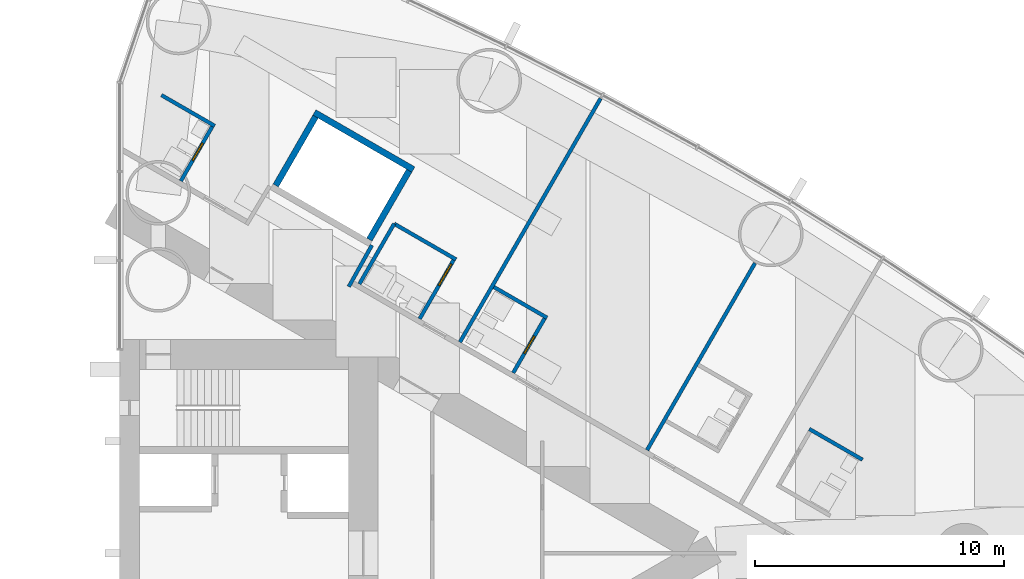
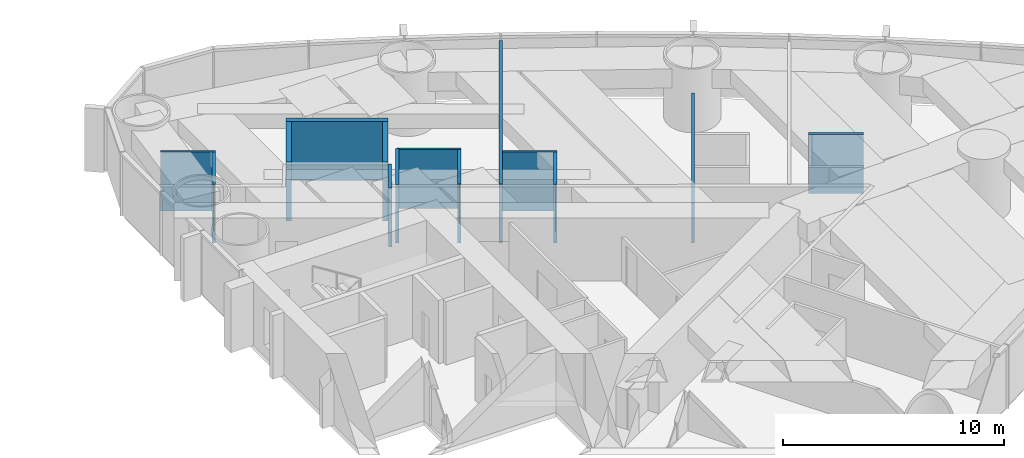
# One storey, part 16 of 19: 14 walls, 3 doors, 3 openings.
"""IFC4 building model written with IfcOpenShell, lengths in metres."""

from ifc_helpers import new_model, si_unit, direction, frame, frame_2d, origin, place, context, subcontext, project, spatial, rectangle, extrude, material, layer, layer_set, type_object, element, fill, save


model = new_model("IFC4")

# Units and contexts
model_context = context("Model", 3, precision=1e-05, world=origin(), true_north=direction((0.0, 1.0)))
body_context = subcontext(model_context, "Body", "Model", "MODEL_VIEW")
ifc_project = project(units=[si_unit("LENGTHUNIT", "METRE"), si_unit("AREAUNIT", "SQUARE_METRE"), si_unit("VOLUMEUNIT", "CUBIC_METRE"), si_unit("PLANEANGLEUNIT", "RADIAN"), si_unit("MASSUNIT", "GRAM", prefix="KILO")], contexts=[model_context])

# Site, building, storey
site_placement = place(None, origin())
site = spatial("IfcSite", under=ifc_project, at=site_placement, CompositionType="ELEMENT")
building_placement = place(site_placement, origin())
building = spatial("IfcBuilding", under=site, at=building_placement, Name="Lancet Gate Hotel", CompositionType="ELEMENT")
storey_placement = place(building_placement, frame((0.0, 0.0, 122.10009765625)))
storey = spatial("IfcBuildingStorey", under=building, at=storey_placement, Name="L32", CompositionType="ELEMENT", Elevation=122.10009765625)

# Walls
ifc_material_1 = material(Name="Moisture resistant board partition")
ifc_layer_1 = layer(ifc_material_1, 0.14990234375)
ifc_layer_set_1 = layer_set([ifc_layer_1], Name="Bathroom wall 150")
wall_type_1 = type_object("IfcWallType", Name="Bathroom wall 150", PredefinedType="PARTITIONING", material=ifc_layer_set_1)
wall_1_placement = place(storey_placement, frame((55.2451171875, 4.998291015625, 0.0), z_axis=(0.0, 0.0, 1.0), x_axis=(0.866006523861, -0.500032699561, 0.0)))
element("IfcWall", 1, at=wall_1_placement, inside=storey, type_object=wall_type_1, Name="T2 bathroom wall 150 L32", PredefinedType="PARTITIONING", context=body_context, shape_type="SweptSolid", body=[
    extrude(rectangle(XDim=2.474853515625, YDim=0.14990234375, at=frame_2d((1.2373046875, 0.0))), origin(), (0.0, 0.0, 1.0), 3.25),
])
wall_2_placement = place(storey_placement, frame((42.5546875, 10.708251953125, 0.0), z_axis=(0.0, 0.0, 1.0), x_axis=(0.866073894602, -0.499916002032, 0.0)))
element("IfcWall", 2, at=wall_2_placement, inside=storey, type_object=wall_type_1, Name="T2 bathroom wall 150 L32", PredefinedType="PARTITIONING", context=body_context, shape_type="SweptSolid", body=[
    extrude(rectangle(XDim=2.47509765625, YDim=0.14990234375, at=frame_2d((1.237548828125, 0.0))), origin(), (0.0, 0.0, 1.0), 3.25),
])

# Wall, opening, door
wall_3_placement = place(storey_placement, frame((43.333251953125, 7.256591796875, 0.0), z_axis=(0.0, 0.0, 1.0), x_axis=(0.500006934395, 0.866021400173, 0.0)))
wall_3 = element("IfcWall", 3, at=wall_3_placement, inside=storey, type_object=wall_type_1, Name="T2 bathroom wall 150 L32", PredefinedType="PARTITIONING", context=body_context, shape_type="SweptSolid", body=[
    extrude(rectangle(XDim=2.60009765625, YDim=0.14990234375, at=frame_2d((1.300048828125, 0.0))), origin(), (0.0, 0.0, 1.0), 3.25),
])
opening_1_placement = place(wall_3_placement, frame((0.89990234375, 0.0, 0.0)))
opening_1 = element("IfcOpeningElement", 4, at=opening_1_placement, cuts=wall_3, Name="Opening 3260-B", PredefinedType="OPENING", context=body_context, shape_type="SweptSolid", body=[
    extrude(rectangle(XDim=0.800048828125, YDim=2.199951171875, at=frame_2d((0.39990234375, 1.10009765625))), frame((0.0, 0.0849609375, 0.0), z_axis=(0.0, -1.0, 0.0), x_axis=(1.0, 0.0, 0.0)), (0.0, 0.0, 1.0), 0.169921875),
])
ifc_material_2 = material(Name="Timber door set", Category="wood")
door_type_1 = type_object("IfcDoorType", Name="Bathroom door 800", OperationType="SINGLE_SWING_RIGHT", PredefinedType="DOOR", material=ifc_material_2)
door_1_placement = place(opening_1_placement, origin())
door_1 = element("IfcDoor", 5, at=door_1_placement, inside=storey, type_object=door_type_1, Name="3260-B", OperationType="SINGLE_SWING_RIGHT", OverallHeight=2.199951171875, OverallWidth=0.800048828125, PredefinedType="DOOR", context=body_context, shape_type="SweptSolid", body=[
    extrude(rectangle(XDim=0.800048828125, YDim=2.199951171875, at=frame_2d((0.39990234375, 1.10009765625))), frame((0.0, 0.02490234375, 0.0), z_axis=(0.0, -1.0, 0.0), x_axis=(1.0, 0.0, 0.0)), (0.0, 0.0, 1.0), 0.050048828125),
])
fill(opening_1, door_1)

# Wall
wall_4_placement = place(storey_placement, frame((38.5439453125, 13.255126953125, 0.0), z_axis=(0.0, 0.0, 1.0), x_axis=(0.866018712932, -0.500011588718, 0.0)))
element("IfcWall", 6, at=wall_4_placement, inside=storey, type_object=wall_type_1, Name="T2 bathroom wall 150 L32", PredefinedType="PARTITIONING", context=body_context, shape_type="SweptSolid", body=[
    extrude(rectangle(XDim=2.875, YDim=0.14990234375, at=frame_2d((1.4375, 0.0))), origin(), (0.0, 0.0, 1.0), 3.25),
])

# Wall, opening, door
wall_5_placement = place(storey_placement, frame((39.56884765625, 9.43017578125, 0.0), z_axis=(0.0, 0.0, 1.0), x_axis=(0.49998411664, 0.866034573852, 0.0)))
wall_5 = element("IfcWall", 7, at=wall_5_placement, inside=storey, type_object=wall_type_1, Name="T2 bathroom wall 150 L32", PredefinedType="PARTITIONING", context=body_context, shape_type="SweptSolid", body=[
    extrude(rectangle(XDim=2.7998046875, YDim=0.14990234375, at=frame_2d((1.39990234375, 0.0))), origin(), (0.0, 0.0, 1.0), 3.25),
])
opening_2_placement = place(wall_5_placement, frame((1.550048828125, 0.0, 0.0)))
opening_2 = element("IfcOpeningElement", 8, at=opening_2_placement, cuts=wall_5, Name="Opening 3262-B", PredefinedType="OPENING", context=body_context, shape_type="SweptSolid", body=[
    extrude(rectangle(XDim=1.0, YDim=2.199951171875, at=frame_2d((0.5, 1.10009765625))), frame((0.0, 0.0849609375, 0.0), z_axis=(0.0, -1.0, 0.0), x_axis=(1.0, 0.0, 0.0)), (0.0, 0.0, 1.0), 0.169921875),
])
ifc_material_3 = material(Name="Timber door set", Category="wood")
door_type_2 = type_object("IfcDoorType", Name="Accessible en-suite door 1000", OperationType="SINGLE_SWING_RIGHT", PredefinedType="DOOR", material=ifc_material_3)
door_2_placement = place(opening_2_placement, origin())
door_2 = element("IfcDoor", 9, at=door_2_placement, inside=storey, type_object=door_type_2, Name="3262-B", OperationType="SINGLE_SWING_RIGHT", OverallHeight=2.199951171875, OverallWidth=1.0, PredefinedType="DOOR", context=body_context, shape_type="SweptSolid", body=[
    extrude(rectangle(XDim=1.0, YDim=2.199951171875, at=frame_2d((0.5, 1.10009765625))), frame((0.0, 0.02490234375, 0.0), z_axis=(0.0, -1.0, 0.0), x_axis=(1.0, 0.0, 0.0)), (0.0, 0.0, 1.0), 0.050048828125),
])
fill(opening_2, door_2)

# Walls
wall_6_placement = place(storey_placement, frame((37.143798828125, 10.830078125, 0.0), z_axis=(0.0, 0.0, 1.0), x_axis=(0.500011755427, 0.866018616679, 0.0)))
element("IfcWall", 10, at=wall_6_placement, inside=storey, type_object=wall_type_1, Name="T2 bathroom wall 150 L32", PredefinedType="PARTITIONING", context=body_context, shape_type="SweptSolid", body=[
    extrude(rectangle(XDim=2.80029296875, YDim=0.14990234375, at=frame_2d((1.400146484375, 0.0))), origin(), (0.0, 0.0, 1.0), 3.25),
])
wall_7_placement = place(storey_placement, frame((29.181884765625, 18.42919921875, 0.0), z_axis=(0.0, 0.0, 1.0), x_axis=(0.866006523861, -0.500032699561, 0.0)))
element("IfcWall", 11, at=wall_7_placement, inside=storey, type_object=wall_type_1, Name="T2 bathroom wall 150 L32", PredefinedType="PARTITIONING", context=body_context, shape_type="SweptSolid", body=[
    extrude(rectangle(XDim=2.474853515625, YDim=0.14990234375, at=frame_2d((1.2373046875, 0.0))), origin(), (0.0, 0.0, 1.0), 3.25),
])

# Wall, opening, door
wall_8_placement = place(storey_placement, frame((29.960205078125, 14.9775390625, 0.0), z_axis=(0.0, 0.0, 1.0), x_axis=(0.500006934395, 0.866021400173, 0.0)))
wall_8 = element("IfcWall", 12, at=wall_8_placement, inside=storey, type_object=wall_type_1, Name="T2 bathroom wall 150 L32", PredefinedType="PARTITIONING", context=body_context, shape_type="SweptSolid", body=[
    extrude(rectangle(XDim=2.60009765625, YDim=0.14990234375, at=frame_2d((1.300048828125, 0.0))), origin(), (0.0, 0.0, 1.0), 3.25),
])
opening_3_placement = place(wall_8_placement, frame((0.949951171875, 0.0, 0.0)))
opening_3 = element("IfcOpeningElement", 13, at=opening_3_placement, cuts=wall_8, Name="Opening 3264-B", PredefinedType="OPENING", context=body_context, shape_type="SweptSolid", body=[
    extrude(rectangle(XDim=0.800048828125, YDim=2.199951171875, at=frame_2d((0.39990234375, 1.10009765625))), frame((0.0, 0.0849609375, 0.0), z_axis=(0.0, -1.0, 0.0), x_axis=(1.0, 0.0, 0.0)), (0.0, 0.0, 1.0), 0.169921875),
])
door_3_placement = place(opening_3_placement, origin())
door_3 = element("IfcDoor", 14, at=door_3_placement, inside=storey, type_object=door_type_1, Name="3264-B", OperationType="SINGLE_SWING_RIGHT", OverallHeight=2.199951171875, OverallWidth=0.800048828125, PredefinedType="DOOR", context=body_context, shape_type="SweptSolid", body=[
    extrude(rectangle(XDim=0.800048828125, YDim=2.199951171875, at=frame_2d((0.39990234375, 1.10009765625))), frame((0.0, 0.02490234375, 0.0), z_axis=(0.0, -1.0, 0.0), x_axis=(1.0, 0.0, 0.0)), (0.0, 0.0, 1.0), 0.050048828125),
])
fill(opening_3, door_3)

# Walls
ifc_material_4 = material(Name="Gypsum board partition")
ifc_layer_2 = layer(ifc_material_4, 0.25)
ifc_layer_set_2 = layer_set([ifc_layer_2], Name="Lift shaft partition 250")
wall_type_2 = type_object("IfcWallType", Name="Lift shaft partition 250", PredefinedType="PARTITIONING", material=ifc_layer_set_2)
wall_9_placement = place(storey_placement, frame((35.33349609375, 17.73583984375, 0.0), z_axis=(0.0, 0.0, 1.0), x_axis=(0.866043305498, -0.49996899204, 0.0)))
element("IfcWall", 15, at=wall_9_placement, inside=storey, type_object=wall_type_2, Name="T2 lift shaft wall EX L32", PredefinedType="PARTITIONING", context=body_context, shape_type="SweptSolid", body=[
    extrude(rectangle(XDim=4.600341796875, YDim=0.25, at=frame_2d((2.30029296875, 0.0))), origin(), (0.0, 0.0, 1.0), 3.25),
])
for number, where, z_axis, x_axis, name in (
    (16, (33.779296875, 14.79296875, 0.0), (0.0, 0.0, 1.0), (0.499929347863, 0.866066190972, 0.0), "T2 lift shaft wall EX L32"),
    (17, (37.546630859375, 12.617919921875, 0.0), (0.0, 0.0, 1.0), (0.499929347863, 0.866066190972, 0.0), "T2 lift shaft wall EX L32"),
):
    element("IfcWall", number, at=place(storey_placement, frame(where, z_axis=z_axis, x_axis=x_axis)), inside=storey, type_object=wall_type_2, Name=name, PredefinedType="PARTITIONING", context=body_context, shape_type="SweptSolid", body=[
        extrude(rectangle(XDim=3.20068359375, YDim=0.25, at=frame_2d((1.600341796875, 0.0))), origin(), (0.0, 0.0, 1.0), 3.25),
    ])
ifc_material_5 = material(Name="Gypsum board partition")
ifc_layer_3 = layer(ifc_material_5, 0.14990234375)
ifc_layer_set_3 = layer_set([ifc_layer_3], Name="Party wall 150")
wall_type_3 = type_object("IfcWallType", Name="Party wall 150", PredefinedType="PARTITIONING", material=ifc_layer_set_3)
wall_10_placement = place(storey_placement, frame((41.18994140625, 8.494140625, 0.0), z_axis=(0.0, 0.0, 1.0), x_axis=(0.49999258054, 0.866029687369, 0.0)))
element("IfcWall", 18, at=wall_10_placement, inside=storey, type_object=wall_type_3, Name="T2 party wall 150 L32", PredefinedType="PARTITIONING", context=body_context, shape_type="SweptSolid", body=[
    extrude(rectangle(XDim=11.318115234375, YDim=0.14990234375, at=frame_2d((5.6591796875, 0.0))), origin(), (0.0, 0.0, 1.0), 3.25),
])
wall_11_placement = place(storey_placement, frame((48.718505859375, 4.1474609375, 0.0), z_axis=(0.0, 0.0, 1.0), x_axis=(0.499993328235, 0.866029255696, 0.0)))
element("IfcWall", 19, at=wall_11_placement, inside=storey, type_object=wall_type_3, Name="T2 party wall 150 L32", PredefinedType="PARTITIONING", context=body_context, shape_type="SweptSolid", body=[
    extrude(rectangle(XDim=8.68603515625, YDim=0.14990234375, at=frame_2d((4.343017578125, 0.0))), origin(), (0.0, 0.0, 1.0), 2.199951171875),
])
ifc_material_6 = material(Name="Gypsum board partition")
ifc_layer_4 = layer(ifc_material_6, 0.14990234375)
ifc_layer_set_4 = layer_set([ifc_layer_4], Name="Service room wall 150")
wall_type_4 = type_object("IfcWallType", Name="Service room wall 150", PredefinedType="PARTITIONING", material=ifc_layer_set_4)
wall_12_placement = place(storey_placement, frame((36.718505859375, 10.723388671875, 0.0), z_axis=(0.0, 0.0, 1.0), x_axis=(0.486348184724, 0.87376509613, 0.0)))
element("IfcWall", 20, at=wall_12_placement, inside=storey, type_object=wall_type_4, Name="T2 service room wall 150 L32", PredefinedType="PARTITIONING", context=body_context, shape_type="SweptSolid", body=[
    extrude(rectangle(XDim=1.91015625, YDim=0.14990234375, at=frame_2d((0.955078125, 0.0))), origin(), (0.0, 0.0, 1.0), 3.25),
])

save(model, "model.ifc")
